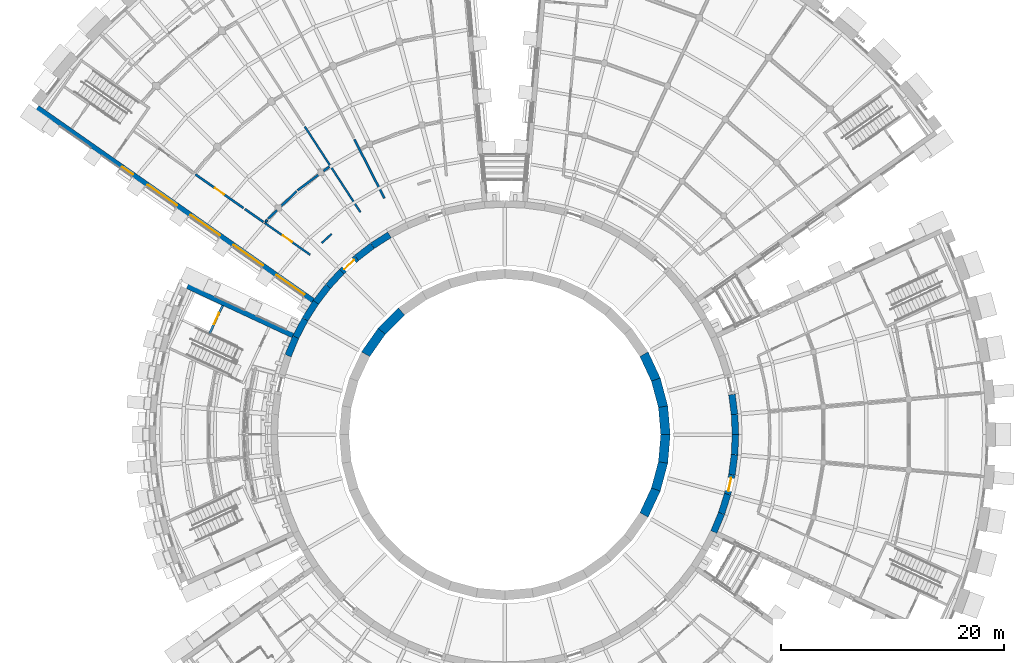
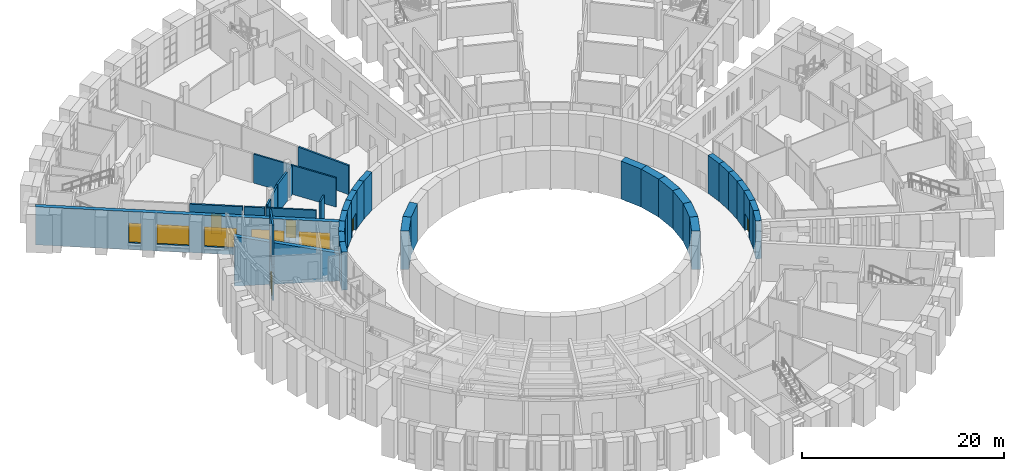
# One storey, part 42 of 66: 38 walls, 6 doors, 5 windows, 11 openings.
"""IFC4 building model written with IfcOpenShell, lengths in metres."""

from ifc_helpers import new_model, si_unit, direction, frame, frame_2d, origin, place, context, subcontext, project, spatial, polyline, rectangle, outline, extrude, material, layer, layer_set, type_object, element, fill, save


model = new_model("IFC4")

# Units and contexts
model_context = context("Model", 3, precision=1e-05, world=origin(), true_north=direction((0.0, 1.0)))
body_context = subcontext(model_context, "Body", "Model", "MODEL_VIEW")
ifc_project = project(units=[si_unit("LENGTHUNIT", "METRE"), si_unit("AREAUNIT", "SQUARE_METRE"), si_unit("VOLUMEUNIT", "CUBIC_METRE"), si_unit("PLANEANGLEUNIT", "RADIAN"), si_unit("MASSUNIT", "GRAM", prefix="KILO")], contexts=[model_context])

# Site, building, storey
site_placement = place(None, origin())
site = spatial("IfcSite", under=ifc_project, at=site_placement, CompositionType="ELEMENT")
building_placement = place(site_placement, origin())
building = spatial("IfcBuilding", under=site, at=building_placement, Name="Volute Hill Aquarium", CompositionType="ELEMENT")
storey_placement = place(building_placement, frame((0.0, 0.0, 4.60009765625)))
storey = spatial("IfcBuildingStorey", under=building, at=storey_placement, Name="L02", CompositionType="ELEMENT", Elevation=4.60009765625)

# Wall
ifc_material_1 = material(Name="Gypsum board on steel studs", Category="steel")
ifc_layer_1 = layer(ifc_material_1, 0.175048828125)
ifc_layer_set_1 = layer_set([ifc_layer_1], Name="Corridor partition 175 EI 60")
wall_type_1 = type_object("IfcWallType", Name="Corridor partition 175 EI 60", PredefinedType="PARTITIONING", material=ifc_layer_set_1)
wall_1_placement = place(storey_placement, frame((-12.96240234375, 19.96044921875, 0.0), z_axis=(0.0, 0.0, 1.0), x_axis=(-0.544645595922, 0.838666307206, 0.0)))
element("IfcWall", 1, at=wall_1_placement, inside=storey, type_object=wall_type_1, Name="pw/S6/L02/001", PredefinedType="PARTITIONING", context=body_context, shape_type="SweptSolid", body=[
    extrude(rectangle(XDim=9.16455078125, YDim=0.175048828125, at=frame_2d((4.582275390625, 0.0))), origin(), (0.0, 0.0, 1.0), 3.510009765625),
])

# Wall, opening, door
wall_2_placement = place(storey_placement, frame((-21.547119140625, 18.993896484375, 0.0), z_axis=(0.0, 0.0, 1.0), x_axis=(0.819169654263, -0.57355128588, 0.0)))
wall_2 = element("IfcWall", 2, at=wall_2_placement, inside=storey, type_object=wall_type_1, Name="pw/S6/L02/013", PredefinedType="PARTITIONING", context=body_context, shape_type="SweptSolid", body=[
    extrude(rectangle(XDim=4.973876953125, YDim=0.175048828125, at=frame_2d((2.48681640625, 0.0))), origin(), (0.0, 0.0, 1.0), 3.510009765625),
])
opening_1_placement = place(wall_2_placement, frame((1.987060546875, 0.0, 0.0)))
opening_1 = element("IfcOpeningElement", 3, at=opening_1_placement, cuts=wall_2, Name="Opening D6.02.02", PredefinedType="OPENING", context=body_context, shape_type="SweptSolid", body=[
    extrude(rectangle(XDim=1.0, YDim=2.10009765625, at=frame_2d((0.5, 1.050048828125))), frame((0.0, 0.097412109375, 0.0), z_axis=(0.0, -1.0, 0.0), x_axis=(1.0, 0.0, 0.0)), (0.0, 0.0, 1.0), 0.195068359375),
])
ifc_material_2 = material(Name="Timber, fire-rated", Category="wood")
door_type_1 = type_object("IfcDoorType", Name="Door 1000 x 2100 single EI1 30", OperationType="SINGLE_SWING_LEFT", PredefinedType="DOOR", material=ifc_material_2)
door_1_placement = place(opening_1_placement, origin())
door_1 = element("IfcDoor", 4, at=door_1_placement, inside=storey, type_object=door_type_1, Name="d/S6/L02/02", OperationType="SINGLE_SWING_RIGHT", OverallHeight=2.10009765625, OverallWidth=1.0, PredefinedType="DOOR", context=body_context, shape_type="SweptSolid", body=[
    extrude(rectangle(XDim=1.0, YDim=2.10009765625, at=frame_2d((0.5, 1.050048828125))), frame((0.0, 0.02490234375, 0.0), z_axis=(0.0, -1.0, 0.0), x_axis=(1.0, 0.0, 0.0)), (0.0, 0.0, 1.0), 0.050048828125),
])
fill(opening_1, door_1)

# Walls
wall_3_placement = place(storey_placement, frame((-16.438232421875, 17.187255859375, 0.0), z_axis=(0.0, 0.0, 1.0), x_axis=(0.737279656854, 0.675587675723, 0.0)))
element("IfcWall", 5, at=wall_3_placement, inside=storey, type_object=wall_type_1, Name="pw/S6/L02/047", PredefinedType="PARTITIONING", context=body_context, shape_type="SweptSolid", body=[
    extrude(rectangle(XDim=1.2109375, YDim=0.175048828125, at=frame_2d((0.60546875, 0.0))), origin(), (0.0, 0.0, 1.0), 3.510009765625),
])
ifc_material_3 = material(Name="Concrete C35/45", Category="concrete")
ifc_layer_2 = layer(ifc_material_3, 0.60009765625)
ifc_layer_set_2 = layer_set([ifc_layer_2], Name="Drum wall C35/45 600")
wall_type_2 = type_object("IfcWallType", Name="Drum wall C35/45 600", PredefinedType="SHEAR", material=ifc_layer_set_2)
wall_4_placement = place(storey_placement, frame((20.699951171875, 0.0, 0.0), z_axis=(0.0, 0.0, 1.0), x_axis=(-0.043666024022, 0.999046184291, 0.0)))
element("IfcWall", 6, at=wall_4_placement, inside=storey, type_object=wall_type_2, Name="sw/DR/L02/0", PredefinedType="SHEAR", context=body_context, shape_type="SweptSolid", body=[
    extrude(rectangle(XDim=1.805908203125, YDim=0.60009765625, at=frame_2d((0.90283203125, 0.0))), origin(), (0.0, 0.0, 1.0), 4.599853515625),
])
wall_5_placement = place(storey_placement, frame((20.62109375, 1.80419921875, 0.0), z_axis=(0.0, 0.0, 1.0), x_axis=(-0.130471999813, 0.991451994433, 0.0)))
element("IfcWall", 7, at=wall_5_placement, inside=storey, type_object=wall_type_2, Name="sw/DR/L02/1", PredefinedType="SHEAR", context=body_context, shape_type="SweptSolid", body=[
    extrude(rectangle(XDim=1.8056640625, YDim=0.60009765625, at=frame_2d((0.90283203125, 0.0))), origin(), (0.0, 0.0, 1.0), 4.599853515625),
])
wall_6_placement = place(storey_placement, frame((-10.35009765625, 17.9267578125, 0.0), z_axis=(0.0, 0.0, 1.0), x_axis=(-0.843332890803, -0.537391510251, 0.0)))
element("IfcWall", 8, at=wall_6_placement, inside=storey, type_object=wall_type_2, Name="sw/DR/L02/24", PredefinedType="SHEAR", context=body_context, shape_type="SweptSolid", body=[
    extrude(rectangle(XDim=1.805908203125, YDim=0.60009765625, at=frame_2d((0.90283203125, 0.0))), origin(), (0.0, 0.0, 1.0), 4.599853515625),
])
wall_7_placement = place(storey_placement, frame((-11.873046875, 16.956298828125, 0.0), z_axis=(0.0, 0.0, 1.0), x_axis=(-0.793397400526, -0.608704004289, 0.0)))
element("IfcWall", 9, at=wall_7_placement, inside=storey, type_object=wall_type_2, Name="sw/DR/L02/25", PredefinedType="SHEAR", context=body_context, shape_type="SweptSolid", body=[
    extrude(rectangle(XDim=1.8056640625, YDim=0.60009765625, at=frame_2d((0.90283203125, 0.0))), origin(), (0.0, 0.0, 1.0), 4.599853515625),
])

# Wall, opening, door
wall_8_placement = place(storey_placement, frame((-13.3056640625, 15.857177734375, 0.0), z_axis=(0.0, 0.0, 1.0), x_axis=(-0.737322466268, -0.675540954152, 0.0)))
wall_8 = element("IfcWall", 10, at=wall_8_placement, inside=storey, type_object=wall_type_2, Name="sw/DR/L02/26", PredefinedType="SHEAR", context=body_context, shape_type="SweptSolid", body=[
    extrude(rectangle(XDim=1.805908203125, YDim=0.60009765625, at=frame_2d((0.90283203125, 0.0))), origin(), (0.0, 0.0, 1.0), 4.599853515625),
])
opening_2_placement = place(wall_8_placement, frame((0.302978515625, 0.0, 0.0)))
opening_2 = element("IfcOpeningElement", 11, at=opening_2_placement, cuts=wall_8, Name="Opening D6.02.R2", PredefinedType="OPENING", context=body_context, shape_type="SweptSolid", body=[
    extrude(rectangle(XDim=1.199951171875, YDim=2.10009765625, at=frame_2d((0.60009765625, 1.050048828125))), frame((0.0, 0.31005859375, 0.0), z_axis=(0.0, -1.0, 0.0), x_axis=(1.0, 0.0, 0.0)), (0.0, 0.0, 1.0), 0.6201171875),
])
ifc_material_4 = material(Name="Timber", Category="wood")
door_type_2 = type_object("IfcDoorType", Name="Door 1200 x 2100 drum double", OperationType="DOUBLE_DOOR_SINGLE_SWING", PredefinedType="DOOR", material=ifc_material_4)
door_2_placement = place(opening_2_placement, origin())
door_2 = element("IfcDoor", 12, at=door_2_placement, inside=storey, type_object=door_type_2, Name="d/S6/L02/dr2", OperationType="SINGLE_SWING_LEFT", OverallHeight=2.10009765625, OverallWidth=1.199951171875, PredefinedType="DOOR", context=body_context, shape_type="SweptSolid", body=[
    extrude(rectangle(XDim=1.199951171875, YDim=2.10009765625, at=frame_2d((0.60009765625, 1.050048828125))), frame((0.0, 0.02490234375, 0.0), z_axis=(0.0, -1.0, 0.0), x_axis=(1.0, 0.0, 0.0)), (0.0, 0.0, 1.0), 0.050048828125),
])
fill(opening_2, door_2)

# Walls
wall_9_placement = place(storey_placement, frame((-14.63720703125, 14.63720703125, 0.0), z_axis=(0.0, 0.0, 1.0), x_axis=(-0.675540954152, -0.737322466268, 0.0)))
element("IfcWall", 13, at=wall_9_placement, inside=storey, type_object=wall_type_2, Name="sw/DR/L02/27", PredefinedType="SHEAR", context=body_context, shape_type="SweptSolid", body=[
    extrude(rectangle(XDim=1.805908203125, YDim=0.60009765625, at=frame_2d((0.90283203125, 0.0))), origin(), (0.0, 0.0, 1.0), 4.599853515625),
])
wall_10_placement = place(storey_placement, frame((-15.857177734375, 13.3056640625, 0.0), z_axis=(0.0, 0.0, 1.0), x_axis=(-0.608704004289, -0.793397400526, 0.0)))
element("IfcWall", 14, at=wall_10_placement, inside=storey, type_object=wall_type_2, Name="sw/DR/L02/28", PredefinedType="SHEAR", context=body_context, shape_type="SweptSolid", body=[
    extrude(rectangle(XDim=1.8056640625, YDim=0.60009765625, at=frame_2d((0.90283203125, 0.0))), origin(), (0.0, 0.0, 1.0), 4.599853515625),
])
for number, where, z_axis, x_axis, name in (
    (15, (-16.956298828125, 11.873046875, 0.0), (0.0, 0.0, 1.0), (-0.537391510251, -0.843332890803, 0.0), "sw/DR/L02/29"),
    (16, (-17.9267578125, 10.35009765625, 0.0), (0.0, 0.0, 1.0), (-0.461701764231, -0.887035219654, 0.0), "sw/DR/L02/30"),
    (17, (-18.760498046875, 8.748291015625, 0.0), (0.0, 0.0, 1.0), (-0.382713954298, -0.923866889322, 0.0), "sw/DR/L02/31"),
    (18, (18.760498046875, -8.748291015625, 0.0), (0.0, 0.0, 1.0), (0.382713954298, 0.923866889322, 0.0), "sw/DR/L02/67"),
):
    element("IfcWall", number, at=place(storey_placement, frame(where, z_axis=z_axis, x_axis=x_axis)), inside=storey, type_object=wall_type_2, Name=name, PredefinedType="SHEAR", context=body_context, shape_type="SweptSolid", body=[
        extrude(rectangle(XDim=1.805908203125, YDim=0.60009765625, at=frame_2d((0.90283203125, 0.0))), origin(), (0.0, 0.0, 1.0), 4.599853515625),
    ])
wall_11_placement = place(storey_placement, frame((19.45166015625, -7.079833984375, 0.0), z_axis=(0.0, 0.0, 1.0), x_axis=(0.300691330354, 0.953721512733, 0.0)))
element("IfcWall", 19, at=wall_11_placement, inside=storey, type_object=wall_type_2, Name="sw/DR/L02/68", PredefinedType="SHEAR", context=body_context, shape_type="SweptSolid", body=[
    extrude(rectangle(XDim=1.8056640625, YDim=0.60009765625, at=frame_2d((0.90283203125, 0.0))), origin(), (0.0, 0.0, 1.0), 4.599853515625),
])

# Wall, opening, door
wall_12_placement = place(storey_placement, frame((19.99462890625, -5.357666015625, 0.0), z_axis=(0.0, 0.0, 1.0), x_axis=(0.216429453554, 0.976298259567, 0.0)))
wall_12 = element("IfcWall", 20, at=wall_12_placement, inside=storey, type_object=wall_type_2, Name="sw/DR/L02/69", PredefinedType="SHEAR", context=body_context, shape_type="SweptSolid", body=[
    extrude(rectangle(XDim=1.805908203125, YDim=0.60009765625, at=frame_2d((0.90283203125, 0.0))), origin(), (0.0, 0.0, 1.0), 4.599853515625),
])
opening_3_placement = place(wall_12_placement, frame((0.302978515625, 0.0, 0.0)))
opening_3 = element("IfcOpeningElement", 21, at=opening_3_placement, cuts=wall_12, Name="Opening D4.02.R1", PredefinedType="OPENING", context=body_context, shape_type="SweptSolid", body=[
    extrude(rectangle(XDim=1.199951171875, YDim=2.10009765625, at=frame_2d((0.60009765625, 1.050048828125))), frame((0.0, 0.31005859375, 0.0), z_axis=(0.0, -1.0, 0.0), x_axis=(1.0, 0.0, 0.0)), (0.0, 0.0, 1.0), 0.6201171875),
])
door_3_placement = place(opening_3_placement, origin())
door_3 = element("IfcDoor", 22, at=door_3_placement, inside=storey, type_object=door_type_2, Name="d/S4/L02/dr1", OperationType="SINGLE_SWING_LEFT", OverallHeight=2.10009765625, OverallWidth=1.199951171875, PredefinedType="DOOR", context=body_context, shape_type="SweptSolid", body=[
    extrude(rectangle(XDim=1.199951171875, YDim=2.10009765625, at=frame_2d((0.60009765625, 1.050048828125))), frame((0.0, 0.02490234375, 0.0), z_axis=(0.0, -1.0, 0.0), x_axis=(1.0, 0.0, 0.0)), (0.0, 0.0, 1.0), 0.050048828125),
])
fill(opening_3, door_3)

# Walls
wall_13_placement = place(storey_placement, frame((20.385498046875, -3.594482421875, 0.0), z_axis=(0.0, 0.0, 1.0), x_axis=(0.130471999813, 0.991451994433, 0.0)))
element("IfcWall", 23, at=wall_13_placement, inside=storey, type_object=wall_type_2, Name="sw/DR/L02/70", PredefinedType="SHEAR", context=body_context, shape_type="SweptSolid", body=[
    extrude(rectangle(XDim=1.8056640625, YDim=0.60009765625, at=frame_2d((0.90283203125, 0.0))), origin(), (0.0, 0.0, 1.0), 4.599853515625),
])
wall_14_placement = place(storey_placement, frame((20.62109375, -1.80419921875, 0.0), z_axis=(0.0, 0.0, 1.0), x_axis=(0.043666024022, 0.999046184291, 0.0)))
element("IfcWall", 24, at=wall_14_placement, inside=storey, type_object=wall_type_2, Name="sw/DR/L02/71", PredefinedType="SHEAR", context=body_context, shape_type="SweptSolid", body=[
    extrude(rectangle(XDim=1.805908203125, YDim=0.60009765625, at=frame_2d((0.90283203125, 0.0))), origin(), (0.0, 0.0, 1.0), 4.599853515625),
])
ifc_material_5 = material(Name="Concrete C35/45", Category="concrete")
ifc_layer_3 = layer(ifc_material_5, 0.449951171875)
ifc_layer_set_3 = layer_set([ifc_layer_3], Name="End wall 450 C35/45")
wall_type_3 = type_object("IfcWallType", Name="End wall 450 C35/45", PredefinedType="SHEAR", material=ifc_layer_set_3)
wall_15_placement = place(storey_placement, frame((-18.931396484375, 8.85546875, 0.0), z_axis=(0.0, 0.0, 1.0), x_axis=(-0.906311980617, 0.422609268462, 0.0)))
element("IfcWall", 25, at=wall_15_placement, inside=storey, type_object=wall_type_3, Name="sw/S1/L02/endA", PredefinedType="SHEAR", context=body_context, shape_type="SweptSolid", body=[
    extrude(outline(polyline([(0.0, 0.0), (10.5498046875, 0.0), (10.550048828125, 6.0283203125), (9.231201171875, 5.689208984375), (7.91259765625, 5.35009765625), (6.59375, 5.010986328125), (5.27490234375, 4.672119140625), (3.956298828125, 4.3330078125), (2.637451171875, 3.994140625), (1.31884765625, 3.655029296875), (0.0, 3.31591796875), (0.0, 0.0)])), frame((0.0, 0.22509765625, 0.0), z_axis=(0.0, -1.0, 0.0), x_axis=(1.0, 0.0, 0.0)), (0.0, 0.0, 1.0), 0.449951171875),
])

# Wall, openings, windows
wall_16_placement = place(storey_placement, frame((-17.134521484375, 11.96728515625, 0.0), z_axis=(0.0, 0.0, 1.0), x_axis=(-0.81915166255, 0.57357698153, 0.0)))
wall_16 = element("IfcWall", 26, at=wall_16_placement, inside=storey, type_object=wall_type_3, Name="sw/S6/L02/endB", PredefinedType="SHEAR", context=body_context, shape_type="SweptSolid", body=[
    extrude(rectangle(XDim=30.300048828125, YDim=0.449951171875, at=frame_2d((15.14990234375, 0.0))), origin(), (0.0, 0.0, 1.0), 4.599853515625),
])
opening_4_placement = place(wall_16_placement, frame((1.02001953125, 0.0, 0.800048828125)))
opening_4 = element("IfcOpeningElement", 27, at=opening_4_placement, cuts=wall_16, Name="Opening W14", PredefinedType="OPENING", context=body_context, shape_type="SweptSolid", body=[
    extrude(rectangle(XDim=3.063232421875, YDim=2.39990234375, at=frame_2d((1.53173828125, 1.199951171875))), frame((0.0, 0.23486328125, 0.0), z_axis=(0.0, -1.0, 0.0), x_axis=(1.0, 0.0, 0.0)), (0.0, 0.0, 1.0), 0.469970703125),
])
opening_5_placement = place(wall_16_placement, frame((5.583251953125, 0.0, 0.800048828125)))
opening_5 = element("IfcOpeningElement", 28, at=opening_5_placement, cuts=wall_16, Name="Opening W15", PredefinedType="OPENING", context=body_context, shape_type="SweptSolid", body=[
    extrude(rectangle(XDim=3.21337890625, YDim=2.39990234375, at=frame_2d((1.606689453125, 1.199951171875))), frame((0.0, 0.23486328125, 0.0), z_axis=(0.0, -1.0, 0.0), x_axis=(1.0, 0.0, 0.0)), (0.0, 0.0, 1.0), 0.469970703125),
])
opening_6_placement = place(wall_16_placement, frame((10.296630859375, 0.0, 0.800048828125)))
opening_6 = element("IfcOpeningElement", 29, at=opening_6_placement, cuts=wall_16, Name="Opening W15", PredefinedType="OPENING", context=body_context, shape_type="SweptSolid", body=[
    extrude(rectangle(XDim=3.21337890625, YDim=2.39990234375, at=frame_2d((1.606689453125, 1.199951171875))), frame((0.0, 0.23486328125, 0.0), z_axis=(0.0, -1.0, 0.0), x_axis=(1.0, 0.0, 0.0)), (0.0, 0.0, 1.0), 0.469970703125),
])
opening_7_placement = place(wall_16_placement, frame((15.010009765625, 0.0, 0.800048828125)))
opening_7 = element("IfcOpeningElement", 30, at=opening_7_placement, cuts=wall_16, Name="Opening W15", PredefinedType="OPENING", context=body_context, shape_type="SweptSolid", body=[
    extrude(rectangle(XDim=3.21337890625, YDim=2.39990234375, at=frame_2d((1.606689453125, 1.199951171875))), frame((0.0, 0.23486328125, 0.0), z_axis=(0.0, -1.0, 0.0), x_axis=(1.0, 0.0, 0.0)), (0.0, 0.0, 1.0), 0.469970703125),
])
opening_8_placement = place(wall_16_placement, frame((19.81640625, 0.0, 0.800048828125)))
opening_8 = element("IfcOpeningElement", 31, at=opening_8_placement, cuts=wall_16, Name="Opening W16", PredefinedType="OPENING", context=body_context, shape_type="SweptSolid", body=[
    extrude(rectangle(XDim=1.199951171875, YDim=2.39990234375, at=frame_2d((0.60009765625, 1.199951171875))), frame((0.0, 0.23486328125, 0.0), z_axis=(0.0, -1.0, 0.0), x_axis=(1.0, 0.0, 0.0)), (0.0, 0.0, 1.0), 0.469970703125),
])
ifc_material_6 = material(Name="Aluminium and glass", Category="aluminium")
window_type_1 = type_object("IfcWindowType", Name="End wall window 1200x2400", PartitioningType="SINGLE_PANEL", PredefinedType="WINDOW", material=ifc_material_6)
window_1_placement = place(opening_8_placement, origin())
window_1 = element("IfcWindow", 32, at=window_1_placement, inside=storey, type_object=window_type_1, Name="End wall window S6B L02 5.1", OverallHeight=2.39990234375, OverallWidth=1.199951171875, PartitioningType="SINGLE_PANEL", PredefinedType="WINDOW", context=body_context, shape_type="SweptSolid", body=[
    extrude(rectangle(XDim=1.199951171875, YDim=2.39990234375, at=frame_2d((0.60009765625, 1.199951171875))), frame((0.0, 0.030029296875, 0.0), z_axis=(0.0, -1.0, 0.0), x_axis=(1.0, 0.0, 0.0)), (0.0, 0.0, 1.0), 0.06005859375),
])
fill(opening_8, window_1)
ifc_material_7 = material(Name="Aluminium and glass", Category="aluminium")
window_type_2 = type_object("IfcWindowType", Name="End wall window 3063x2400", PartitioningType="SINGLE_PANEL", PredefinedType="WINDOW", material=ifc_material_7)
window_2_placement = place(opening_4_placement, origin())
window_2 = element("IfcWindow", 33, at=window_2_placement, inside=storey, type_object=window_type_2, Name="End wall window S6B L02 1.1", OverallHeight=2.39990234375, OverallWidth=3.063232421875, PartitioningType="SINGLE_PANEL", PredefinedType="WINDOW", context=body_context, shape_type="SweptSolid", body=[
    extrude(rectangle(XDim=3.063232421875, YDim=2.39990234375, at=frame_2d((1.53173828125, 1.199951171875))), frame((0.0, 0.030029296875, 0.0), z_axis=(0.0, -1.0, 0.0), x_axis=(1.0, 0.0, 0.0)), (0.0, 0.0, 1.0), 0.06005859375),
])
fill(opening_4, window_2)
ifc_material_8 = material(Name="Aluminium and glass", Category="aluminium")
window_type_3 = type_object("IfcWindowType", Name="End wall window 3213x2400", PartitioningType="SINGLE_PANEL", PredefinedType="WINDOW", material=ifc_material_8)
window_3_placement = place(opening_5_placement, origin())
window_3 = element("IfcWindow", 34, at=window_3_placement, inside=storey, type_object=window_type_3, Name="End wall window S6B L02 2.1", OverallHeight=2.39990234375, OverallWidth=3.21337890625, PartitioningType="SINGLE_PANEL", PredefinedType="WINDOW", context=body_context, shape_type="SweptSolid", body=[
    extrude(rectangle(XDim=3.21337890625, YDim=2.39990234375, at=frame_2d((1.606689453125, 1.199951171875))), frame((0.0, 0.030029296875, 0.0), z_axis=(0.0, -1.0, 0.0), x_axis=(1.0, 0.0, 0.0)), (0.0, 0.0, 1.0), 0.06005859375),
])
fill(opening_5, window_3)
window_4_placement = place(opening_6_placement, origin())
window_4 = element("IfcWindow", 35, at=window_4_placement, inside=storey, type_object=window_type_3, Name="End wall window S6B L02 3.1", OverallHeight=2.39990234375, OverallWidth=3.21337890625, PartitioningType="SINGLE_PANEL", PredefinedType="WINDOW", context=body_context, shape_type="SweptSolid", body=[
    extrude(rectangle(XDim=3.21337890625, YDim=2.39990234375, at=frame_2d((1.606689453125, 1.199951171875))), frame((0.0, 0.030029296875, 0.0), z_axis=(0.0, -1.0, 0.0), x_axis=(1.0, 0.0, 0.0)), (0.0, 0.0, 1.0), 0.06005859375),
])
fill(opening_6, window_4)
window_5_placement = place(opening_7_placement, origin())
window_5 = element("IfcWindow", 36, at=window_5_placement, inside=storey, type_object=window_type_3, Name="End wall window S6B L02 4.1", OverallHeight=2.39990234375, OverallWidth=3.21337890625, PartitioningType="SINGLE_PANEL", PredefinedType="WINDOW", context=body_context, shape_type="SweptSolid", body=[
    extrude(rectangle(XDim=3.21337890625, YDim=2.39990234375, at=frame_2d((1.606689453125, 1.199951171875))), frame((0.0, 0.030029296875, 0.0), z_axis=(0.0, -1.0, 0.0), x_axis=(1.0, 0.0, 0.0)), (0.0, 0.0, 1.0), 0.06005859375),
])
fill(opening_7, window_5)

# Wall
ifc_material_9 = material(Name="Masonry blockwork", Category="masonry")
ifc_layer_4 = layer(ifc_material_9, 0.199951171875)
ifc_layer_set_4 = layer_set([ifc_layer_4], Name="Fire partition 200 EI 60")
wall_type_4 = type_object("IfcWallType", Name="Fire partition 200 EI 60", PredefinedType="PARTITIONING", material=ifc_layer_set_4)
wall_17_placement = place(storey_placement, frame((-13.500732421875, 26.496826171875, 0.0), z_axis=(0.0, 0.0, 1.0), x_axis=(0.453992914648, -0.891005293727, 0.0)))
element("IfcWall", 37, at=wall_17_placement, inside=storey, type_object=wall_type_4, Name="pw/S6/L02/009", PredefinedType="PARTITIONING", context=body_context, shape_type="SweptSolid", body=[
    extrude(rectangle(XDim=5.93798828125, YDim=0.199951171875, at=frame_2d((2.968994140625, 0.0))), origin(), (0.0, 0.0, 1.0), 3.510009765625),
])

# Wall, opening, door
wall_18_placement = place(storey_placement, frame((-27.772705078125, 23.35302734375, 0.0), z_axis=(0.0, 0.0, 1.0), x_axis=(0.819151370893, -0.573577398059, 0.0)))
wall_18 = element("IfcWall", 38, at=wall_18_placement, inside=storey, type_object=wall_type_4, Name="pw/S6/L02/011", PredefinedType="PARTITIONING", context=body_context, shape_type="SweptSolid", body=[
    extrude(rectangle(XDim=5.26904296875, YDim=0.199951171875, at=frame_2d((2.634521484375, 0.0))), origin(), (0.0, 0.0, 1.0), 3.510009765625),
])
opening_9_placement = place(wall_18_placement, frame((2.134521484375, 0.0, 0.0)))
opening_9 = element("IfcOpeningElement", 39, at=opening_9_placement, cuts=wall_18, Name="Opening D6.02.04", PredefinedType="OPENING", context=body_context, shape_type="SweptSolid", body=[
    extrude(rectangle(XDim=1.0, YDim=2.39990234375, at=frame_2d((0.5, 1.199951171875))), frame((0.0, 0.10986328125, 0.0), z_axis=(0.0, -1.0, 0.0), x_axis=(1.0, 0.0, 0.0)), (0.0, 0.0, 1.0), 0.219970703125),
])
ifc_material_10 = material(Name="Steel, fire-rated", Category="steel")
door_type_3 = type_object("IfcDoorType", Name="Door 1000 x 2400 laboratory EI1 30", OperationType="SINGLE_SWING_LEFT", PredefinedType="DOOR", material=ifc_material_10)
door_4_placement = place(opening_9_placement, origin())
door_4 = element("IfcDoor", 40, at=door_4_placement, inside=storey, type_object=door_type_3, Name="d/S6/L02/04", OperationType="SINGLE_SWING_RIGHT", OverallHeight=2.39990234375, OverallWidth=1.0, PredefinedType="DOOR", context=body_context, shape_type="SweptSolid", body=[
    extrude(rectangle(XDim=1.0, YDim=2.39990234375, at=frame_2d((0.5, 1.199951171875))), frame((0.0, 0.02490234375, 0.0), z_axis=(0.0, -1.0, 0.0), x_axis=(1.0, 0.0, 0.0)), (0.0, 0.0, 1.0), 0.050048828125),
])
fill(opening_9, door_4)

# Walls
wall_19_placement = place(storey_placement, frame((-18.60791015625, 21.916015625, 0.0), z_axis=(0.0, 0.0, 1.0), x_axis=(0.802120624252, 0.597162041786, 0.0)))
element("IfcWall", 41, at=wall_19_placement, inside=storey, type_object=wall_type_4, Name="pw/S6/L02/030", PredefinedType="PARTITIONING", context=body_context, shape_type="SweptSolid", body=[
    extrude(rectangle(XDim=2.439453125, YDim=0.199951171875, at=frame_2d((1.2197265625, 0.0))), origin(), (0.0, 0.0, 1.0), 3.510009765625),
])
wall_20_placement = place(storey_placement, frame((-23.333740234375, 20.244873046875, 0.0), z_axis=(0.0, 0.0, 1.0), x_axis=(0.819164141, -0.573559160069, 0.0)))
element("IfcWall", 42, at=wall_20_placement, inside=storey, type_object=wall_type_4, Name="pw/S6/L02/032", PredefinedType="PARTITIONING", context=body_context, shape_type="SweptSolid", body=[
    extrude(rectangle(XDim=2.03076171875, YDim=0.199951171875, at=frame_2d((1.015380859375, 0.0))), origin(), (0.0, 0.0, 1.0), 3.510009765625),
])
wall_21_placement = place(storey_placement, frame((-20.12353515625, 20.452392578125, 0.0), z_axis=(0.0, 0.0, 1.0), x_axis=(0.719348261409, 0.694649608657, 0.0)))
element("IfcWall", 43, at=wall_21_placement, inside=storey, type_object=wall_type_4, Name="pw/S6/L02/034", PredefinedType="PARTITIONING", context=body_context, shape_type="SweptSolid", body=[
    extrude(rectangle(XDim=1.97705078125, YDim=0.199951171875, at=frame_2d((0.988525390625, 0.0))), origin(), (0.0, 0.0, 1.0), 3.510009765625),
])
wall_22_placement = place(storey_placement, frame((-21.253173828125, 19.361572265625, 0.0), z_axis=(0.0, 0.0, 1.0), x_axis=(0.719390021907, 0.69460636074, 0.0)))
element("IfcWall", 44, at=wall_22_placement, inside=storey, type_object=wall_type_4, Name="pw/S6/L02/050", PredefinedType="PARTITIONING", context=body_context, shape_type="SweptSolid", body=[
    extrude(rectangle(XDim=1.103271484375, YDim=0.199951171875, at=frame_2d((0.5517578125, 0.0))), origin(), (0.0, 0.0, 1.0), 3.510009765625),
])
wall_23_placement = place(storey_placement, frame((-16.27392578125, 23.653564453125, 0.0), z_axis=(0.0, 0.0, 1.0), x_axis=(0.802203924917, 0.597050134283, 0.0)))
element("IfcWall", 45, at=wall_23_placement, inside=storey, type_object=wall_type_4, Name="pw/S6/L02/053", PredefinedType="PARTITIONING", context=body_context, shape_type="SweptSolid", body=[
    extrude(rectangle(XDim=0.649658203125, YDim=0.199951171875, at=frame_2d((0.32470703125, 0.0))), origin(), (0.0, 0.0, 1.0), 3.510009765625),
])
wall_24_placement = place(storey_placement, frame((-21.4736328125, 19.085693359375, 0.0), z_axis=(0.0, 0.0, 1.0), x_axis=(0.624561647801, 0.780975510561, 0.0)))
element("IfcWall", 46, at=wall_24_placement, inside=storey, type_object=wall_type_4, Name="pw/S6/L02/056", PredefinedType="PARTITIONING", context=body_context, shape_type="SweptSolid", body=[
    extrude(rectangle(XDim=0.22314453125, YDim=0.199951171875, at=frame_2d((0.111572265625, 0.0))), origin(), (0.0, 0.0, 1.0), 3.510009765625),
])

# Wall, opening, door
ifc_material_11 = material(Name="Concrete C30/37", Category="concrete")
ifc_layer_5 = layer(ifc_material_11, 0.199951171875)
ifc_layer_set_5 = layer_set([ifc_layer_5], Name="Shaft wall 200 EI 60")
wall_type_5 = type_object("IfcWallType", Name="Shaft wall 200 EI 60", PredefinedType="SOLIDWALL", material=ifc_layer_set_5)
wall_25_placement = place(storey_placement, frame((-25.3251953125, 11.588623046875, 0.0), z_axis=(0.0, 0.0, 1.0), x_axis=(-0.422632457081, -0.906301167505, 0.0)))
wall_25 = element("IfcWall", 47, at=wall_25_placement, inside=storey, type_object=wall_type_5, Name="wc/S1-A/L02/front", PredefinedType="SOLIDWALL", context=body_context, shape_type="SweptSolid", body=[
    extrude(rectangle(XDim=2.800048828125, YDim=0.199951171875, at=frame_2d((1.39990234375, 0.0))), origin(), (0.0, 0.0, 1.0), 4.06982421875),
])
opening_10_placement = place(wall_25_placement, frame((0.75, 0.0, 0.0)))
opening_10 = element("IfcOpeningElement", 48, at=opening_10_placement, cuts=wall_25, Name="Opening LD1.02.A", PredefinedType="OPENING", context=body_context, shape_type="SweptSolid", body=[
    extrude(rectangle(XDim=1.10009765625, YDim=2.10009765625, at=frame_2d((0.550048828125, 1.050048828125))), frame((0.0, 0.10986328125, 0.0), z_axis=(0.0, -1.0, 0.0), x_axis=(1.0, 0.0, 0.0)), (0.0, 0.0, 1.0), 0.219970703125),
])
ifc_material_12 = material(Name="Stainless steel", Category="steel")
door_type_4 = type_object("IfcDoorType", Name="Lift landing door 1100 x 2100", OperationType="SLIDING_TO_LEFT", PredefinedType="DOOR", material=ifc_material_12)
door_5_placement = place(opening_10_placement, origin())
door_5 = element("IfcDoor", 49, at=door_5_placement, inside=storey, type_object=door_type_4, Name="d/S1-A/L02/ld", OperationType="SLIDING_TO_LEFT", OverallHeight=2.10009765625, OverallWidth=1.10009765625, PredefinedType="DOOR", context=body_context, shape_type="SweptSolid", body=[
    extrude(rectangle(XDim=1.10009765625, YDim=2.10009765625, at=frame_2d((0.550048828125, 1.050048828125))), frame((0.0, 0.02490234375, 0.0), z_axis=(0.0, -1.0, 0.0), x_axis=(1.0, 0.0, 0.0)), (0.0, 0.0, 1.0), 0.050048828125),
])
fill(opening_10, door_5)

wall_26_placement = place(storey_placement, frame((-25.3251953125, 11.588623046875, 4.31982421875), z_axis=(0.0, 0.0, 1.0), x_axis=(-0.422632457081, -0.906301167505, 0.0)))
wall_26 = element("IfcWall", 50, at=wall_26_placement, inside=storey, type_object=wall_type_5, Name="wc/S1-A/L02/front-h", PredefinedType="SOLIDWALL", context=body_context, shape_type="SweptSolid", body=[
    extrude(rectangle(XDim=2.800048828125, YDim=0.199951171875, at=frame_2d((1.39990234375, 0.0))), origin(), (0.0, 0.0, 1.0), 4.800048828125),
])
opening_11_placement = place(wall_26_placement, frame((0.75, 0.0, 0.0)))
opening_11 = element("IfcOpeningElement", 51, at=opening_11_placement, cuts=wall_26, Name="Opening LD1.02.AR", PredefinedType="OPENING", context=body_context, shape_type="SweptSolid", body=[
    extrude(rectangle(XDim=1.10009765625, YDim=2.10009765625, at=frame_2d((0.550048828125, 1.050048828125))), frame((0.0, 0.10986328125, 0.0), z_axis=(0.0, -1.0, 0.0), x_axis=(1.0, 0.0, 0.0)), (0.0, 0.0, 1.0), 0.219970703125),
])
door_6_placement = place(opening_11_placement, origin())
door_6 = element("IfcDoor", 52, at=door_6_placement, inside=storey, type_object=door_type_4, Name="d/S1-A/L02/ldr", OperationType="SLIDING_TO_LEFT", OverallHeight=2.10009765625, OverallWidth=1.10009765625, PredefinedType="DOOR", context=body_context, shape_type="SweptSolid", body=[
    extrude(rectangle(XDim=1.10009765625, YDim=2.10009765625, at=frame_2d((0.550048828125, 1.050048828125))), frame((0.0, 0.02490234375, 0.0), z_axis=(0.0, -1.0, 0.0), x_axis=(1.0, 0.0, 0.0)), (0.0, 0.0, 1.0), 0.050048828125),
])
fill(opening_11, door_6)

# Walls
ifc_material_13 = material(Name="Concrete C40/50", Category="concrete")
ifc_layer_6 = layer(ifc_material_13, 0.85009765625)
ifc_layer_set_6 = layer_set([ifc_layer_6], Name="Tank wall C40/50 850")
wall_type_6 = type_object("IfcWallType", Name="Tank wall C40/50 850", PredefinedType="SHEAR", material=ifc_layer_set_6)
wall_27_placement = place(storey_placement, origin())
element("IfcWall", 53, at=wall_27_placement, inside=storey, type_object=wall_type_6, Name="sw/TK/L02/0", PredefinedType="SHEAR", context=body_context, shape_type="SweptSolid", body=[
    extrude(outline(polyline([(14.0, 0.0), (14.85009765625, 0.0), (14.62451171875, 2.57861328125), (13.787353515625, 2.43115234375), (14.0, 0.0)])), origin(), (0.0, 0.0, 1.0), 4.599853515625),
])
wall_28_placement = place(storey_placement, origin())
element("IfcWall", 54, at=wall_28_placement, inside=storey, type_object=wall_type_6, Name="sw/TK/L02/1", PredefinedType="SHEAR", context=body_context, shape_type="SweptSolid", body=[
    extrude(outline(polyline([(13.787353515625, 2.43115234375), (14.62451171875, 2.57861328125), (13.954345703125, 5.0791015625), (13.15576171875, 4.788330078125), (13.787353515625, 2.43115234375)])), origin(), (0.0, 0.0, 1.0), 4.599853515625),
])
wall_29_placement = place(storey_placement, origin())
element("IfcWall", 55, at=wall_29_placement, inside=storey, type_object=wall_type_6, Name="sw/TK/L02/2", PredefinedType="SHEAR", context=body_context, shape_type="SweptSolid", body=[
    extrude(outline(polyline([(13.15576171875, 4.788330078125), (13.954345703125, 5.0791015625), (12.860595703125, 7.425048828125), (12.12451171875, 7.0), (13.15576171875, 4.788330078125)])), origin(), (0.0, 0.0, 1.0), 4.599853515625),
])
wall_30_placement = place(storey_placement, origin())
element("IfcWall", 56, at=wall_30_placement, inside=storey, type_object=wall_type_6, Name="sw/TK/L02/13", PredefinedType="SHEAR", context=body_context, shape_type="SweptSolid", body=[
    extrude(outline(polyline([(-8.9990234375, 10.724609375), (-9.54541015625, 11.375732421875), (-11.375732421875, 9.54541015625), (-10.724609375, 8.9990234375), (-8.9990234375, 10.724609375)])), origin(), (0.0, 0.0, 1.0), 4.599853515625),
])
wall_31_placement = place(storey_placement, origin())
element("IfcWall", 57, at=wall_31_placement, inside=storey, type_object=wall_type_6, Name="sw/TK/L02/14", PredefinedType="SHEAR", context=body_context, shape_type="SweptSolid", body=[
    extrude(outline(polyline([(-10.724609375, 8.9990234375), (-11.375732421875, 9.54541015625), (-12.860595703125, 7.425048828125), (-12.12451171875, 7.0), (-10.724609375, 8.9990234375)])), origin(), (0.0, 0.0, 1.0), 4.599853515625),
])
wall_32_placement = place(storey_placement, origin())
element("IfcWall", 58, at=wall_32_placement, inside=storey, type_object=wall_type_6, Name="sw/TK/L02/33", PredefinedType="SHEAR", context=body_context, shape_type="SweptSolid", body=[
    extrude(outline(polyline([(12.12451171875, -7.0), (12.860595703125, -7.425048828125), (13.954345703125, -5.0791015625), (13.15576171875, -4.788330078125), (12.12451171875, -7.0)])), origin(), (0.0, 0.0, 1.0), 4.599853515625),
])
wall_33_placement = place(storey_placement, origin())
element("IfcWall", 59, at=wall_33_placement, inside=storey, type_object=wall_type_6, Name="sw/TK/L02/34", PredefinedType="SHEAR", context=body_context, shape_type="SweptSolid", body=[
    extrude(outline(polyline([(13.15576171875, -4.788330078125), (13.954345703125, -5.0791015625), (14.62451171875, -2.57861328125), (13.787353515625, -2.43115234375), (13.15576171875, -4.788330078125)])), origin(), (0.0, 0.0, 1.0), 4.599853515625),
])
wall_34_placement = place(storey_placement, origin())
element("IfcWall", 60, at=wall_34_placement, inside=storey, type_object=wall_type_6, Name="sw/TK/L02/35", PredefinedType="SHEAR", context=body_context, shape_type="SweptSolid", body=[
    extrude(outline(polyline([(13.787353515625, -2.43115234375), (14.62451171875, -2.57861328125), (14.85009765625, 0.0), (14.0, 0.0), (13.787353515625, -2.43115234375)])), origin(), (0.0, 0.0, 1.0), 4.599853515625),
])

save(model, "model.ifc")
